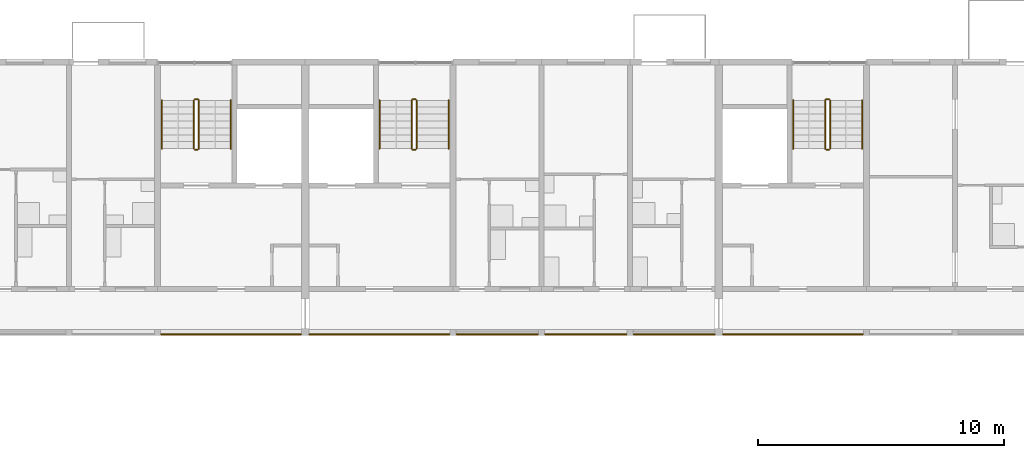
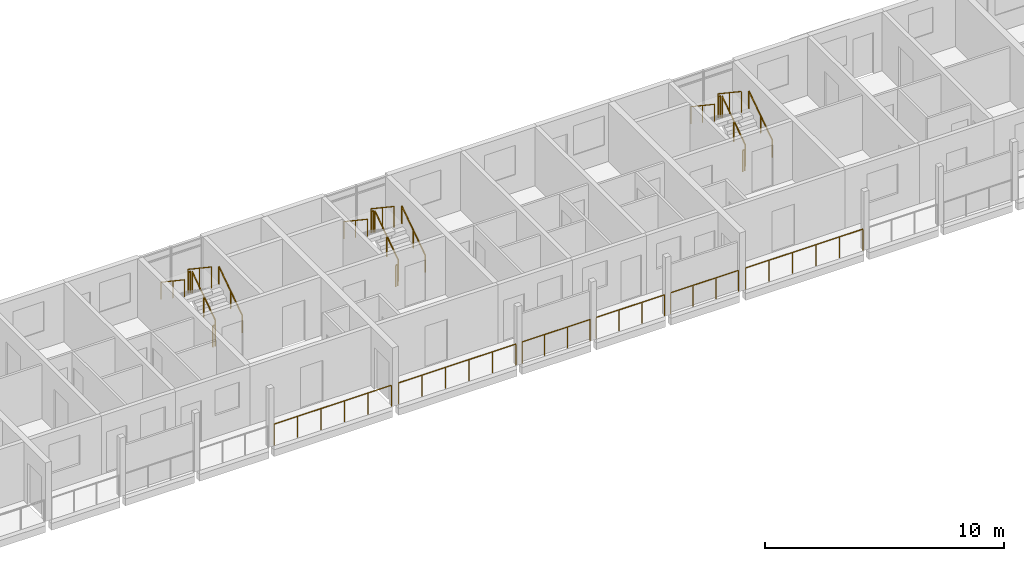
# One storey, part 85 of 93: 24 railings.
"""IFC4 building model written with IfcOpenShell, lengths in metres."""

from ifc_helpers import new_model, si_unit, direction, frame, origin, origin_2d, place, context, subcontext, project, spatial, circle, extrude, material, type_object, element, save


model = new_model("IFC4")

# Units and contexts
model_context = context("Model", 3, precision=1e-05, world=origin(), true_north=direction((0.0, 1.0)))
body_context = subcontext(model_context, "Body", "Model", "MODEL_VIEW")
ifc_project = project(units=[si_unit("LENGTHUNIT", "METRE"), si_unit("AREAUNIT", "SQUARE_METRE"), si_unit("VOLUMEUNIT", "CUBIC_METRE"), si_unit("PLANEANGLEUNIT", "RADIAN"), si_unit("MASSUNIT", "GRAM", prefix="KILO")], contexts=[model_context])

# Site, building, storey
site_placement = place(None, origin())
site = spatial("IfcSite", under=ifc_project, at=site_placement, CompositionType="ELEMENT")
building_placement = place(site_placement, origin())
building = spatial("IfcBuilding", under=site, at=building_placement, Name="Ridgestep Commons", CompositionType="ELEMENT")
storey_placement = place(building_placement, frame((0.0, 0.0, 18.0)))
storey = spatial("IfcBuildingStorey", under=building, at=storey_placement, Name="L06", CompositionType="ELEMENT", Elevation=18.0)

# Railings
ifc_material_1 = material(Name="Structural steel S355JR", Category="steel")
railing_type_1 = type_object("IfcRailingType", Name="Guard 1100", PredefinedType="GUARDRAIL", material=ifc_material_1)
railing_1_placement = place(storey_placement, frame((174.5458984375, 66.050048828125, 0.0)))
element("IfcRailing", 1, at=railing_1_placement, inside=storey, type_object=railing_type_1, Name="Gallery guard C 06.8", PredefinedType="GUARDRAIL", context=body_context, shape_type="SweptSolid", body=[
    extrude(circle(Radius=0.02392578125, at=origin_2d()), frame((0.0, 0.0, 1.076171875), z_axis=(1.0, 0.0, 0.0), x_axis=(0.0, 1.0, 0.0)), (0.0, 0.0, 1.0), 5.68310546875),
    extrude(circle(Radius=0.02099609375, at=origin_2d()), origin(), (0.0, 0.0, 1.0), 1.052001953125),
    extrude(circle(Radius=0.02099609375, at=origin_2d()), frame((1.13671875, 0.0, 0.0)), (0.0, 0.0, 1.0), 1.052001953125),
    extrude(circle(Radius=0.02099609375, at=origin_2d()), frame((2.273193359375, 0.0, 0.0)), (0.0, 0.0, 1.0), 1.052001953125),
    extrude(circle(Radius=0.02099609375, at=origin_2d()), frame((3.409912109375, 0.0, 0.0)), (0.0, 0.0, 1.0), 1.052001953125),
    extrude(circle(Radius=0.02099609375, at=origin_2d()), frame((4.54638671875, 0.0, 0.0)), (0.0, 0.0, 1.0), 1.052001953125),
    extrude(circle(Radius=0.02099609375, at=origin_2d()), frame((5.68310546875, 0.0, 0.0)), (0.0, 0.0, 1.0), 1.052001953125),
])
railing_2_placement = place(storey_placement, frame((180.571044921875, 66.050048828125, 0.0)))
element("IfcRailing", 2, at=railing_2_placement, inside=storey, type_object=railing_type_1, Name="Gallery guard C 06.9", PredefinedType="GUARDRAIL", context=body_context, shape_type="SweptSolid", body=[
    extrude(circle(Radius=0.02392578125, at=origin_2d()), frame((0.0, 0.0, 1.076171875), z_axis=(1.0, 0.0, 0.0), x_axis=(0.0, 1.0, 0.0)), (0.0, 0.0, 1.0), 5.682861328125),
    extrude(circle(Radius=0.02099609375, at=origin_2d()), origin(), (0.0, 0.0, 1.0), 1.052001953125),
    extrude(circle(Radius=0.02099609375, at=origin_2d()), frame((1.136474609375, 0.0, 0.0)), (0.0, 0.0, 1.0), 1.052001953125),
    extrude(circle(Radius=0.02099609375, at=origin_2d()), frame((2.273193359375, 0.0, 0.0)), (0.0, 0.0, 1.0), 1.052001953125),
    extrude(circle(Radius=0.02099609375, at=origin_2d()), frame((3.40966796875, 0.0, 0.0)), (0.0, 0.0, 1.0), 1.052001953125),
    extrude(circle(Radius=0.02099609375, at=origin_2d()), frame((4.54638671875, 0.0, 0.0)), (0.0, 0.0, 1.0), 1.052001953125),
    extrude(circle(Radius=0.02099609375, at=origin_2d()), frame((5.682861328125, 0.0, 0.0)), (0.0, 0.0, 1.0), 1.052001953125),
])
for number, where, name in (
    (3, (186.5458984375, 66.050048828125, 0.0), "Gallery guard C 06.10"),
    (4, (190.14599609375, 66.050048828125, 0.0), "Gallery guard C 06.11"),
):
    element("IfcRailing", number, at=place(storey_placement, frame(where)), inside=storey, type_object=railing_type_1, Name=name, PredefinedType="GUARDRAIL", context=body_context, shape_type="SweptSolid", body=[
        extrude(circle(Radius=0.02392578125, at=origin_2d()), frame((0.0, 0.0, 1.076171875), z_axis=(1.0, 0.0, 0.0), x_axis=(0.0, 1.0, 0.0)), (0.0, 0.0, 1.0), 3.30810546875),
        extrude(circle(Radius=0.02099609375, at=origin_2d()), origin(), (0.0, 0.0, 1.0), 1.052001953125),
        extrude(circle(Radius=0.02099609375, at=origin_2d()), frame((1.102783203125, 0.0, 0.0)), (0.0, 0.0, 1.0), 1.052001953125),
        extrude(circle(Radius=0.02099609375, at=origin_2d()), frame((2.205322265625, 0.0, 0.0)), (0.0, 0.0, 1.0), 1.052001953125),
        extrude(circle(Radius=0.02099609375, at=origin_2d()), frame((3.30810546875, 0.0, 0.0)), (0.0, 0.0, 1.0), 1.052001953125),
    ])
railing_3_placement = place(storey_placement, frame((193.74609375, 66.050048828125, 0.0)))
element("IfcRailing", 5, at=railing_3_placement, inside=storey, type_object=railing_type_1, Name="Gallery guard C 06.12", PredefinedType="GUARDRAIL", context=body_context, shape_type="SweptSolid", body=[
    extrude(circle(Radius=0.02392578125, at=origin_2d()), frame((0.0, 0.0, 1.076171875), z_axis=(1.0, 0.0, 0.0), x_axis=(0.0, 1.0, 0.0)), (0.0, 0.0, 1.0), 3.282958984375),
    extrude(circle(Radius=0.02099609375, at=origin_2d()), origin(), (0.0, 0.0, 1.0), 1.052001953125),
    extrude(circle(Radius=0.02099609375, at=origin_2d()), frame((1.09423828125, 0.0, 0.0)), (0.0, 0.0, 1.0), 1.052001953125),
    extrude(circle(Radius=0.02099609375, at=origin_2d()), frame((2.188720703125, 0.0, 0.0)), (0.0, 0.0, 1.0), 1.052001953125),
    extrude(circle(Radius=0.02099609375, at=origin_2d()), frame((3.282958984375, 0.0, 0.0)), (0.0, 0.0, 1.0), 1.052001953125),
])
railing_4_placement = place(storey_placement, frame((197.37109375, 66.050048828125, 0.0)))
element("IfcRailing", 6, at=railing_4_placement, inside=storey, type_object=railing_type_1, Name="Gallery guard C 06.13", PredefinedType="GUARDRAIL", context=body_context, shape_type="SweptSolid", body=[
    extrude(circle(Radius=0.02392578125, at=origin_2d()), frame((0.0, 0.0, 1.076171875), z_axis=(1.0, 0.0, 0.0), x_axis=(0.0, 1.0, 0.0)), (0.0, 0.0, 1.0), 5.682861328125),
    extrude(circle(Radius=0.02099609375, at=origin_2d()), origin(), (0.0, 0.0, 1.0), 1.052001953125),
    extrude(circle(Radius=0.02099609375, at=origin_2d()), frame((1.136474609375, 0.0, 0.0)), (0.0, 0.0, 1.0), 1.052001953125),
    extrude(circle(Radius=0.02099609375, at=origin_2d()), frame((2.273193359375, 0.0, 0.0)), (0.0, 0.0, 1.0), 1.052001953125),
    extrude(circle(Radius=0.02099609375, at=origin_2d()), frame((3.40966796875, 0.0, 0.0)), (0.0, 0.0, 1.0), 1.052001953125),
    extrude(circle(Radius=0.02099609375, at=origin_2d()), frame((4.54638671875, 0.0, 0.0)), (0.0, 0.0, 1.0), 1.052001953125),
    extrude(circle(Radius=0.02099609375, at=origin_2d()), frame((5.682861328125, 0.0, 0.0)), (0.0, 0.0, 1.0), 1.052001953125),
])
ifc_material_2 = material(Name="Structural steel S355JR", Category="steel")
railing_type_2 = type_object("IfcRailingType", Name="Stair guard 1100", PredefinedType="GUARDRAIL", material=ifc_material_2)
railing_5_placement = place(storey_placement, frame((176.074951171875, 73.60009765625, 0.1875)))
element("IfcRailing", 7, at=railing_5_placement, inside=storey, type_object=railing_type_2, Name="L06 C2C stair guard 1", PredefinedType="GUARDRAIL", context=body_context, shape_type="SweptSolid", body=[
    extrude(circle(Radius=0.02392578125, at=origin_2d()), frame((0.0, 0.0, 1.076171875), z_axis=(0.0, 0.830902050051, 0.556418712142), x_axis=(-1.0, 0.0, 0.0)), (0.0, 0.0, 1.0), 2.35888671875),
    extrude(circle(Radius=0.02099609375, at=origin_2d()), origin(), (0.0, 0.0, 1.0), 1.052001953125),
    extrude(circle(Radius=0.02099609375, at=origin_2d()), frame((0.0, 0.97998046875, 0.65625)), (0.0, 0.0, 1.0), 1.052001953125),
    extrude(circle(Radius=0.02099609375, at=origin_2d()), frame((0.0, 1.9599609375, 1.3125)), (0.0, 0.0, 1.0), 1.052001953125),
])
railing_6_placement = place(storey_placement, frame((176.02490234375, 75.610107421875, 1.5)))
element("IfcRailing", 8, at=railing_6_placement, inside=storey, type_object=railing_type_2, Name="L06 C2C stair guard 2", PredefinedType="GUARDRAIL", context=body_context, shape_type="SweptSolid", body=[
    extrude(circle(Radius=0.02392578125, at=origin_2d()), frame((0.0, 0.0, 1.076171875), z_axis=(-1.0, 0.0, 0.0), x_axis=(0.0, -1.0, 0.0)), (0.0, 0.0, 1.0), 0.099853515625),
    extrude(circle(Radius=0.02099609375, at=origin_2d()), origin(), (0.0, 0.0, 1.0), 1.052001953125),
    extrude(circle(Radius=0.02099609375, at=origin_2d()), frame((-0.099853515625, 0.0, 0.0)), (0.0, 0.0, 1.0), 1.052001953125),
])
railing_7_placement = place(storey_placement, frame((175.875, 75.56005859375, 1.6875)))
element("IfcRailing", 9, at=railing_7_placement, inside=storey, type_object=railing_type_2, Name="L06 C2C stair guard 3", PredefinedType="GUARDRAIL", context=body_context, shape_type="SweptSolid", body=[
    extrude(circle(Radius=0.02392578125, at=origin_2d()), frame((0.0, 0.0, 1.076171875), z_axis=(0.0, -0.830902050051, 0.556418712142), x_axis=(1.0, 0.0, 0.0)), (0.0, 0.0, 1.0), 2.35888671875),
    extrude(circle(Radius=0.02099609375, at=origin_2d()), origin(), (0.0, 0.0, 1.0), 1.052001953125),
    extrude(circle(Radius=0.02099609375, at=origin_2d()), frame((0.0, -0.97998046875, 0.65625)), (0.0, 0.0, 1.0), 1.052001953125),
    extrude(circle(Radius=0.02099609375, at=origin_2d()), frame((0.0, -1.9599609375, 1.3125)), (0.0, 0.0, 1.0), 1.052001953125),
])
railing_8_placement = place(storey_placement, frame((176.02490234375, 73.550048828125, 0.0)))
element("IfcRailing", 10, at=railing_8_placement, inside=storey, type_object=railing_type_2, Name="L06 C2C stair guard 4", PredefinedType="GUARDRAIL", context=body_context, shape_type="SweptSolid", body=[
    extrude(circle(Radius=0.02392578125, at=origin_2d()), frame((0.0, 0.0, 1.076171875), z_axis=(-1.0, 0.0, 0.0), x_axis=(0.0, -1.0, 0.0)), (0.0, 0.0, 1.0), 0.099853515625),
    extrude(circle(Radius=0.02099609375, at=origin_2d()), origin(), (0.0, 0.0, 1.0), 1.052001953125),
    extrude(circle(Radius=0.02099609375, at=origin_2d()), frame((-0.099853515625, 0.0, 0.0)), (0.0, 0.0, 1.0), 1.052001953125),
])
railing_9_placement = place(storey_placement, frame((184.925048828125, 73.60009765625, 0.1875)))
element("IfcRailing", 11, at=railing_9_placement, inside=storey, type_object=railing_type_2, Name="L06 C3C stair guard 1", PredefinedType="GUARDRAIL", context=body_context, shape_type="SweptSolid", body=[
    extrude(circle(Radius=0.02392578125, at=origin_2d()), frame((0.0, 0.0, 1.076171875), z_axis=(0.0, 0.830902050051, 0.556418712142), x_axis=(-1.0, 0.0, 0.0)), (0.0, 0.0, 1.0), 2.35888671875),
    extrude(circle(Radius=0.02099609375, at=origin_2d()), origin(), (0.0, 0.0, 1.0), 1.052001953125),
    extrude(circle(Radius=0.02099609375, at=origin_2d()), frame((0.0, 0.97998046875, 0.65625)), (0.0, 0.0, 1.0), 1.052001953125),
    extrude(circle(Radius=0.02099609375, at=origin_2d()), frame((0.0, 1.9599609375, 1.3125)), (0.0, 0.0, 1.0), 1.052001953125),
])
railing_10_placement = place(storey_placement, frame((184.875, 75.610107421875, 1.5)))
element("IfcRailing", 12, at=railing_10_placement, inside=storey, type_object=railing_type_2, Name="L06 C3C stair guard 2", PredefinedType="GUARDRAIL", context=body_context, shape_type="SweptSolid", body=[
    extrude(circle(Radius=0.02392578125, at=origin_2d()), frame((0.0, 0.0, 1.076171875), z_axis=(-1.0, 0.0, 0.0), x_axis=(0.0, -1.0, 0.0)), (0.0, 0.0, 1.0), 0.10009765625),
    extrude(circle(Radius=0.02099609375, at=origin_2d()), origin(), (0.0, 0.0, 1.0), 1.052001953125),
    extrude(circle(Radius=0.02099609375, at=origin_2d()), frame((-0.10009765625, 0.0, 0.0)), (0.0, 0.0, 1.0), 1.052001953125),
])
railing_11_placement = place(storey_placement, frame((184.72509765625, 75.56005859375, 1.6875)))
element("IfcRailing", 13, at=railing_11_placement, inside=storey, type_object=railing_type_2, Name="L06 C3C stair guard 3", PredefinedType="GUARDRAIL", context=body_context, shape_type="SweptSolid", body=[
    extrude(circle(Radius=0.02392578125, at=origin_2d()), frame((0.0, 0.0, 1.076171875), z_axis=(0.0, -0.830902050051, 0.556418712142), x_axis=(1.0, 0.0, 0.0)), (0.0, 0.0, 1.0), 2.35888671875),
    extrude(circle(Radius=0.02099609375, at=origin_2d()), origin(), (0.0, 0.0, 1.0), 1.052001953125),
    extrude(circle(Radius=0.02099609375, at=origin_2d()), frame((0.0, -0.97998046875, 0.65625)), (0.0, 0.0, 1.0), 1.052001953125),
    extrude(circle(Radius=0.02099609375, at=origin_2d()), frame((0.0, -1.9599609375, 1.3125)), (0.0, 0.0, 1.0), 1.052001953125),
])
railing_12_placement = place(storey_placement, frame((184.875, 73.550048828125, 0.0)))
element("IfcRailing", 14, at=railing_12_placement, inside=storey, type_object=railing_type_2, Name="L06 C3C stair guard 4", PredefinedType="GUARDRAIL", context=body_context, shape_type="SweptSolid", body=[
    extrude(circle(Radius=0.02392578125, at=origin_2d()), frame((0.0, 0.0, 1.076171875), z_axis=(-1.0, 0.0, 0.0), x_axis=(0.0, -1.0, 0.0)), (0.0, 0.0, 1.0), 0.10009765625),
    extrude(circle(Radius=0.02099609375, at=origin_2d()), origin(), (0.0, 0.0, 1.0), 1.052001953125),
    extrude(circle(Radius=0.02099609375, at=origin_2d()), frame((-0.10009765625, 0.0, 0.0)), (0.0, 0.0, 1.0), 1.052001953125),
])
railing_13_placement = place(storey_placement, frame((201.72509765625, 73.60009765625, 0.1875)))
element("IfcRailing", 15, at=railing_13_placement, inside=storey, type_object=railing_type_2, Name="L06 C4C stair guard 1", PredefinedType="GUARDRAIL", context=body_context, shape_type="SweptSolid", body=[
    extrude(circle(Radius=0.02392578125, at=origin_2d()), frame((0.0, 0.0, 1.076171875), z_axis=(0.0, 0.830902050051, 0.556418712142), x_axis=(-1.0, 0.0, 0.0)), (0.0, 0.0, 1.0), 2.35888671875),
    extrude(circle(Radius=0.02099609375, at=origin_2d()), origin(), (0.0, 0.0, 1.0), 1.052001953125),
    extrude(circle(Radius=0.02099609375, at=origin_2d()), frame((0.0, 0.97998046875, 0.65625)), (0.0, 0.0, 1.0), 1.052001953125),
    extrude(circle(Radius=0.02099609375, at=origin_2d()), frame((0.0, 1.9599609375, 1.3125)), (0.0, 0.0, 1.0), 1.052001953125),
])
railing_14_placement = place(storey_placement, frame((201.675048828125, 75.610107421875, 1.5)))
element("IfcRailing", 16, at=railing_14_placement, inside=storey, type_object=railing_type_2, Name="L06 C4C stair guard 2", PredefinedType="GUARDRAIL", context=body_context, shape_type="SweptSolid", body=[
    extrude(circle(Radius=0.02392578125, at=origin_2d()), frame((0.0, 0.0, 1.076171875), z_axis=(-1.0, 0.0, 0.0), x_axis=(0.0, -1.0, 0.0)), (0.0, 0.0, 1.0), 0.10009765625),
    extrude(circle(Radius=0.02099609375, at=origin_2d()), origin(), (0.0, 0.0, 1.0), 1.052001953125),
    extrude(circle(Radius=0.02099609375, at=origin_2d()), frame((-0.10009765625, 0.0, 0.0)), (0.0, 0.0, 1.0), 1.052001953125),
])
railing_15_placement = place(storey_placement, frame((201.52490234375, 75.56005859375, 1.6875)))
element("IfcRailing", 17, at=railing_15_placement, inside=storey, type_object=railing_type_2, Name="L06 C4C stair guard 3", PredefinedType="GUARDRAIL", context=body_context, shape_type="SweptSolid", body=[
    extrude(circle(Radius=0.02392578125, at=origin_2d()), frame((0.0, 0.0, 1.076171875), z_axis=(0.0, -0.830902050051, 0.556418712142), x_axis=(1.0, 0.0, 0.0)), (0.0, 0.0, 1.0), 2.35888671875),
    extrude(circle(Radius=0.02099609375, at=origin_2d()), origin(), (0.0, 0.0, 1.0), 1.052001953125),
    extrude(circle(Radius=0.02099609375, at=origin_2d()), frame((0.0, -0.97998046875, 0.65625)), (0.0, 0.0, 1.0), 1.052001953125),
    extrude(circle(Radius=0.02099609375, at=origin_2d()), frame((0.0, -1.9599609375, 1.3125)), (0.0, 0.0, 1.0), 1.052001953125),
])
railing_16_placement = place(storey_placement, frame((201.675048828125, 73.550048828125, 0.0)))
element("IfcRailing", 18, at=railing_16_placement, inside=storey, type_object=railing_type_2, Name="L06 C4C stair guard 4", PredefinedType="GUARDRAIL", context=body_context, shape_type="SweptSolid", body=[
    extrude(circle(Radius=0.02392578125, at=origin_2d()), frame((0.0, 0.0, 1.076171875), z_axis=(-1.0, 0.0, 0.0), x_axis=(0.0, -1.0, 0.0)), (0.0, 0.0, 1.0), 0.10009765625),
    extrude(circle(Radius=0.02099609375, at=origin_2d()), origin(), (0.0, 0.0, 1.0), 1.052001953125),
    extrude(circle(Radius=0.02099609375, at=origin_2d()), frame((-0.10009765625, 0.0, 0.0)), (0.0, 0.0, 1.0), 1.052001953125),
])
ifc_material_3 = material(Name="Structural steel S355JR", Category="steel")
railing_type_3 = type_object("IfcRailingType", Name="Stair handrail 900", PredefinedType="HANDRAIL", material=ifc_material_3)
railing_17_placement = place(storey_placement, frame((177.375, 73.60009765625, 0.1875)))
element("IfcRailing", 19, at=railing_17_placement, inside=storey, type_object=railing_type_3, Name="L06 C2C stair handrail 1", PredefinedType="HANDRAIL", context=body_context, shape_type="SweptSolid", body=[
    extrude(circle(Radius=0.02392578125, at=origin_2d()), frame((0.0, 0.0, 0.8759765625), z_axis=(0.0, 0.830902050051, 0.556418712142), x_axis=(-1.0, 0.0, 0.0)), (0.0, 0.0, 1.0), 2.35888671875),
    extrude(circle(Radius=0.02099609375, at=origin_2d()), origin(), (0.0, 0.0, 1.0), 0.851806640625),
    extrude(circle(Radius=0.02099609375, at=origin_2d()), frame((0.0, 0.97998046875, 0.65625)), (0.0, 0.0, 1.0), 0.851806640625),
    extrude(circle(Radius=0.02099609375, at=origin_2d()), frame((0.0, 1.9599609375, 1.3125)), (0.0, 0.0, 1.0), 0.851806640625),
])
railing_18_placement = place(storey_placement, frame((174.574951171875, 75.56005859375, 1.6875)))
element("IfcRailing", 20, at=railing_18_placement, inside=storey, type_object=railing_type_3, Name="L06 C2C stair handrail 2", PredefinedType="HANDRAIL", context=body_context, shape_type="SweptSolid", body=[
    extrude(circle(Radius=0.02392578125, at=origin_2d()), frame((0.0, 0.0, 0.8759765625), z_axis=(0.0, -0.830902050051, 0.556418712142), x_axis=(1.0, 0.0, 0.0)), (0.0, 0.0, 1.0), 2.35888671875),
    extrude(circle(Radius=0.02099609375, at=origin_2d()), origin(), (0.0, 0.0, 1.0), 0.851806640625),
    extrude(circle(Radius=0.02099609375, at=origin_2d()), frame((0.0, -0.97998046875, 0.65625)), (0.0, 0.0, 1.0), 0.851806640625),
    extrude(circle(Radius=0.02099609375, at=origin_2d()), frame((0.0, -1.9599609375, 1.3125)), (0.0, 0.0, 1.0), 0.851806640625),
])
railing_19_placement = place(storey_placement, frame((186.22509765625, 73.60009765625, 0.1875)))
element("IfcRailing", 21, at=railing_19_placement, inside=storey, type_object=railing_type_3, Name="L06 C3C stair handrail 1", PredefinedType="HANDRAIL", context=body_context, shape_type="SweptSolid", body=[
    extrude(circle(Radius=0.02392578125, at=origin_2d()), frame((0.0, 0.0, 0.8759765625), z_axis=(0.0, 0.830902050051, 0.556418712142), x_axis=(-1.0, 0.0, 0.0)), (0.0, 0.0, 1.0), 2.35888671875),
    extrude(circle(Radius=0.02099609375, at=origin_2d()), origin(), (0.0, 0.0, 1.0), 0.851806640625),
    extrude(circle(Radius=0.02099609375, at=origin_2d()), frame((0.0, 0.97998046875, 0.65625)), (0.0, 0.0, 1.0), 0.851806640625),
    extrude(circle(Radius=0.02099609375, at=origin_2d()), frame((0.0, 1.9599609375, 1.3125)), (0.0, 0.0, 1.0), 0.851806640625),
])
railing_20_placement = place(storey_placement, frame((183.425048828125, 75.56005859375, 1.6875)))
element("IfcRailing", 22, at=railing_20_placement, inside=storey, type_object=railing_type_3, Name="L06 C3C stair handrail 2", PredefinedType="HANDRAIL", context=body_context, shape_type="SweptSolid", body=[
    extrude(circle(Radius=0.02392578125, at=origin_2d()), frame((0.0, 0.0, 0.8759765625), z_axis=(0.0, -0.830902050051, 0.556418712142), x_axis=(1.0, 0.0, 0.0)), (0.0, 0.0, 1.0), 2.35888671875),
    extrude(circle(Radius=0.02099609375, at=origin_2d()), origin(), (0.0, 0.0, 1.0), 0.851806640625),
    extrude(circle(Radius=0.02099609375, at=origin_2d()), frame((0.0, -0.97998046875, 0.65625)), (0.0, 0.0, 1.0), 0.851806640625),
    extrude(circle(Radius=0.02099609375, at=origin_2d()), frame((0.0, -1.9599609375, 1.3125)), (0.0, 0.0, 1.0), 0.851806640625),
])
railing_21_placement = place(storey_placement, frame((203.02490234375, 73.60009765625, 0.1875)))
element("IfcRailing", 23, at=railing_21_placement, inside=storey, type_object=railing_type_3, Name="L06 C4C stair handrail 1", PredefinedType="HANDRAIL", context=body_context, shape_type="SweptSolid", body=[
    extrude(circle(Radius=0.02392578125, at=origin_2d()), frame((0.0, 0.0, 0.8759765625), z_axis=(0.0, 0.830902050051, 0.556418712142), x_axis=(-1.0, 0.0, 0.0)), (0.0, 0.0, 1.0), 2.35888671875),
    extrude(circle(Radius=0.02099609375, at=origin_2d()), origin(), (0.0, 0.0, 1.0), 0.851806640625),
    extrude(circle(Radius=0.02099609375, at=origin_2d()), frame((0.0, 0.97998046875, 0.65625)), (0.0, 0.0, 1.0), 0.851806640625),
    extrude(circle(Radius=0.02099609375, at=origin_2d()), frame((0.0, 1.9599609375, 1.3125)), (0.0, 0.0, 1.0), 0.851806640625),
])
railing_22_placement = place(storey_placement, frame((200.22509765625, 75.56005859375, 1.6875)))
element("IfcRailing", 24, at=railing_22_placement, inside=storey, type_object=railing_type_3, Name="L06 C4C stair handrail 2", PredefinedType="HANDRAIL", context=body_context, shape_type="SweptSolid", body=[
    extrude(circle(Radius=0.02392578125, at=origin_2d()), frame((0.0, 0.0, 0.8759765625), z_axis=(0.0, -0.830902050051, 0.556418712142), x_axis=(1.0, 0.0, 0.0)), (0.0, 0.0, 1.0), 2.35888671875),
    extrude(circle(Radius=0.02099609375, at=origin_2d()), origin(), (0.0, 0.0, 1.0), 0.851806640625),
    extrude(circle(Radius=0.02099609375, at=origin_2d()), frame((0.0, -0.97998046875, 0.65625)), (0.0, 0.0, 1.0), 0.851806640625),
    extrude(circle(Radius=0.02099609375, at=origin_2d()), frame((0.0, -1.9599609375, 1.3125)), (0.0, 0.0, 1.0), 0.851806640625),
])

save(model, "model.ifc")
